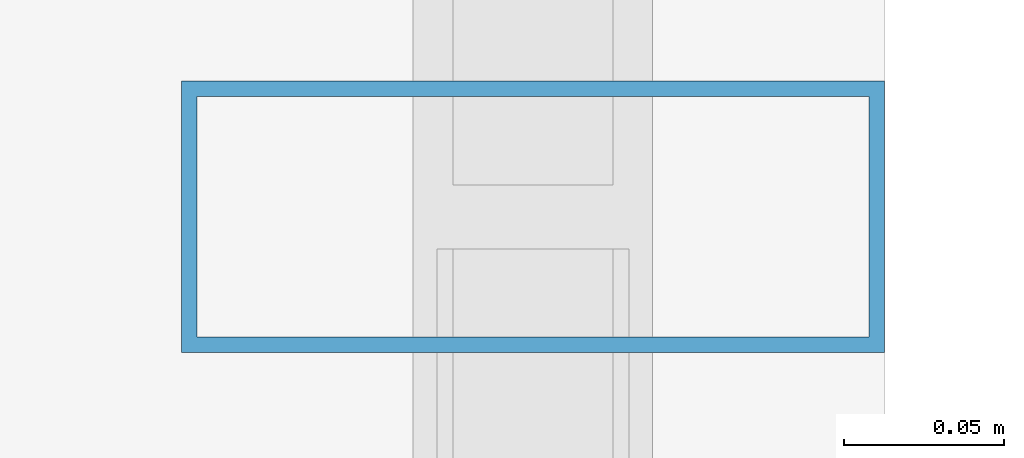
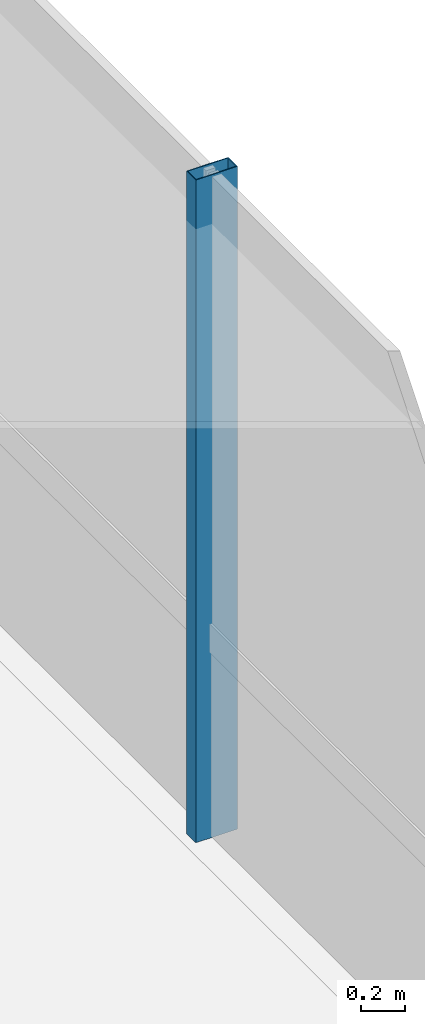
# One storey, part 15 of 35: 1 member, 1 element without a shape of its own.
"""IFC4 building model written with IfcOpenShell, lengths in metres."""

from ifc_helpers import new_model, si_unit, direction, frame, origin, origin_2d, place, context, subcontext, project, spatial, hollow_rectangle, extrude, source, transform, mapped, material, material_profile, profile_set, type_object, element, aggregate, save


model = new_model("IFC4")

# Units and contexts
model_context = context("Model", 3, precision=1e-05, world=origin(), true_north=direction((0.0, 1.0)))
body_context = subcontext(model_context, "Body", "Model", "MODEL_VIEW")
ifc_project = project(units=[si_unit("LENGTHUNIT", "METRE"), si_unit("AREAUNIT", "SQUARE_METRE"), si_unit("VOLUMEUNIT", "CUBIC_METRE"), si_unit("PLANEANGLEUNIT", "RADIAN"), si_unit("MASSUNIT", "GRAM", prefix="KILO")], contexts=[model_context])

# Site, building, storey
site_placement = place(None, origin())
site = spatial("IfcSite", under=ifc_project, at=site_placement, CompositionType="ELEMENT")
building_placement = place(site_placement, origin())
building = spatial("IfcBuilding", under=site, at=building_placement, Name="Valdorenza Pilgrim Sanctuary Tower", CompositionType="ELEMENT")
storey_placement = place(building_placement, frame((0.0, 0.0, 192.35009765625)))
storey = spatial("IfcBuildingStorey", under=building, at=storey_placement, Name="L49", CompositionType="ELEMENT", Elevation=192.35009765625)

# Curtain wall, member
ifc_material_1 = material(Name="Curtain-wall IGU glazing", Category="glass")
curtain_wall_type = type_object("IfcCurtainWallType", Name="CW-SYS-03", PredefinedType="NOTDEFINED", material=ifc_material_1)
curtain_wall_placement = place(storey_placement, origin())
curtain_wall = element("IfcCurtainWall", 1, at=curtain_wall_placement, inside=storey, type_object=curtain_wall_type, Name="L49 Curtain Wall CW-L49-1-37", PredefinedType="NOTDEFINED")
ifc_material_2 = material(Name="Anodised aluminium AW-6060", Category="aluminium")
ifc_material_profile = material_profile(ifc_material_2, hollow_rectangle(XDim=0.0849609375, YDim=0.219970703125, WallThickness=0.0048828125, at=origin_2d()), Name="ALU-M 220x85x5")
ifc_profile_set = profile_set([ifc_material_profile], Name="Anodised aluminium AW-6060")
member_type = type_object("IfcMemberType", Name="CW-MUL-03", PredefinedType="MULLION", material=ifc_profile_set)
shared_shape = source(origin(), body_context, "Body", "SweptSolid", [
    extrude(hollow_rectangle(XDim=0.0849609375, YDim=0.219970703125, WallThickness=0.0048828125, at=origin_2d()), origin(), (0.0, 0.0, 1.0), 3.7099609375),
])
member_placement = place(storey_placement, frame((29.68994140625, 1.589599609375, 0.0), z_axis=(0.0, 0.0, 1.0), x_axis=(0.0, -1.0, 0.0)))
member = element("IfcMember", 2, at=member_placement, type_object=member_type, Name="CW-L49-1-37 Mullion 3", PredefinedType="MULLION", context=body_context, shape_type="MappedRepresentation", body=[
    mapped(shared_shape, transform((0.0, 0.0, 0.0), x_axis=(1.0, 0.0, 0.0), y_axis=(0.0, 1.0, 0.0), z_axis=(0.0, 0.0, 1.0), scale=1.0)),
])
aggregate(curtain_wall, [member])

save(model, "model.ifc")
